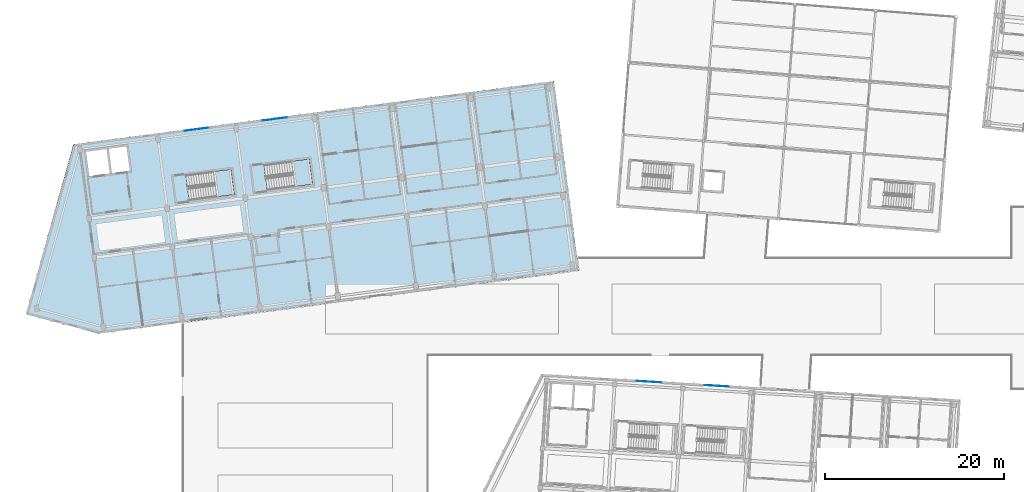
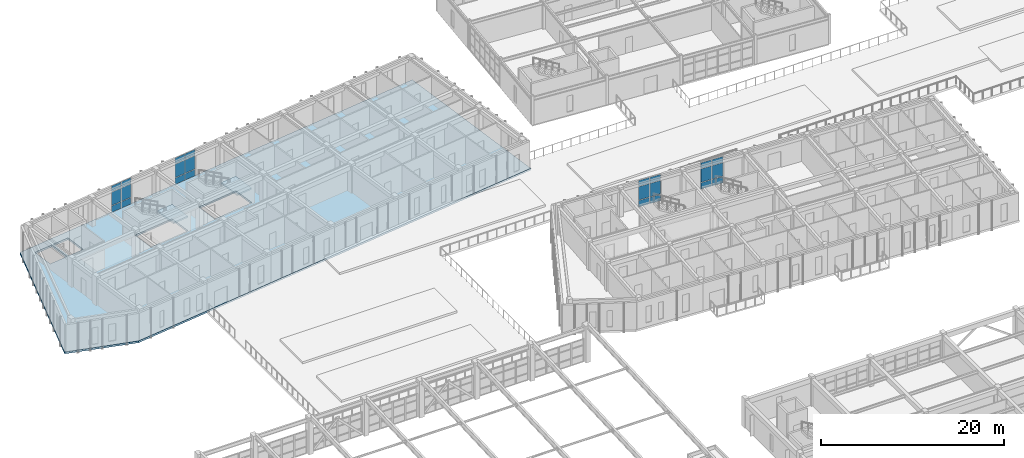
# One storey, part 72 of 150: 24 plates, 3 slabs, 6 elements without a shape of their own.
"""IFC4 building model written with IfcOpenShell, lengths in metres."""

from ifc_helpers import new_model, si_unit, direction, frame, origin, origin_2d, place, context, subcontext, project, spatial, polyline, rectangle, outline, extrude, material, layer, layer_set, type_object, element, aggregate, save


model = new_model("IFC4")

# Units and contexts
model_context = context("Model", 3, precision=1e-05, world=origin(), true_north=direction((0.0, 1.0)))
body_context = subcontext(model_context, "Body", "Model", "MODEL_VIEW")
ifc_project = project(units=[si_unit("LENGTHUNIT", "METRE"), si_unit("AREAUNIT", "SQUARE_METRE"), si_unit("VOLUMEUNIT", "CUBIC_METRE"), si_unit("PLANEANGLEUNIT", "RADIAN"), si_unit("MASSUNIT", "GRAM", prefix="KILO")], contexts=[model_context])

# Site, building, storey
site_placement = place(None, origin())
site = spatial("IfcSite", under=ifc_project, at=site_placement, CompositionType="ELEMENT")
building_placement = place(site_placement, origin())
building = spatial("IfcBuilding", under=site, at=building_placement, Name="Kestramere Prow Commons", CompositionType="ELEMENT")
storey_placement = place(building_placement, frame((0.0, 0.0, 4.5)))
storey = spatial("IfcBuildingStorey", under=building, at=storey_placement, Name="L01", CompositionType="ELEMENT", Elevation=4.5)

# Curtain wall, plates
ifc_material_1 = material(Name="Anodised Aluminium and Low-E Glass", Category="aluminium")
curtain_wall_type = type_object("IfcCurtainWallType", Name="CW-02 Glazed Curtain Wall 2830x3650", PredefinedType="USERDEFINED", material=ifc_material_1)
curtain_wall_1_placement = place(storey_placement, origin())
curtain_wall_1 = element("IfcCurtainWall", 1, at=curtain_wall_1_placement, inside=storey, type_object=curtain_wall_type, Name="Block A L01 Stairwell Vertical Glazing 2", ObjectType="GLAZED CURTAIN WALL", PredefinedType="USERDEFINED")
ifc_material_2 = material(Name="Low-E Laminated Double Glazing", Category="glass")
ifc_layer_1 = layer(ifc_material_2, 0.028076171875)
ifc_layer_set_1 = layer_set([ifc_layer_1], Name="Low-E Laminated Double Glazing")
plate_type = type_object("IfcPlateType", Name="CW-PNL-28", PredefinedType="CURTAIN_PANEL", material=ifc_layer_set_1)
plate_1_placement = place(storey_placement, frame((20.922607421875, 93.982177734375, 0.06494140625), z_axis=(0.0, 0.0, 1.0), x_axis=(0.991444867297, 0.13052614723, 0.0)))
plate_1 = element("IfcPlate", 2, at=plate_1_placement, type_object=plate_type, Name="CW-02 panel 1.1", PredefinedType="CURTAIN_PANEL", context=body_context, shape_type="SweptSolid", body=[
    extrude(rectangle(XDim=1.3173828125, YDim=0.028076171875, at=origin_2d()), origin(), (0.0, 0.0, 1.0), 0.8525390625),
])
plate_2_placement = place(storey_placement, frame((20.922607421875, 93.982177734375, 0.982421875), z_axis=(0.0, 0.0, 1.0), x_axis=(0.991444867297, 0.13052614723, 0.0)))
plate_2 = element("IfcPlate", 3, at=plate_2_placement, type_object=plate_type, Name="CW-02 panel 1.2", PredefinedType="CURTAIN_PANEL", context=body_context, shape_type="SweptSolid", body=[
    extrude(rectangle(XDim=1.3173828125, YDim=0.028076171875, at=origin_2d()), origin(), (0.0, 0.0, 1.0), 1.784912109375),
])
plate_3_placement = place(storey_placement, frame((20.922607421875, 93.982177734375, 2.83251953125), z_axis=(0.0, 0.0, 1.0), x_axis=(0.991444867297, 0.13052614723, 0.0)))
plate_3 = element("IfcPlate", 4, at=plate_3_placement, type_object=plate_type, Name="CW-02 panel 1.3", PredefinedType="CURTAIN_PANEL", context=body_context, shape_type="SweptSolid", body=[
    extrude(rectangle(XDim=1.3173828125, YDim=0.028076171875, at=origin_2d()), origin(), (0.0, 0.0, 1.0), 0.75244140625),
])
plate_4_placement = place(storey_placement, frame((22.29345703125, 94.16259765625, 0.06494140625), z_axis=(0.0, 0.0, 1.0), x_axis=(0.991444867297, 0.13052614723, 0.0)))
plate_4 = element("IfcPlate", 5, at=plate_4_placement, type_object=plate_type, Name="CW-02 panel 2.1", PredefinedType="CURTAIN_PANEL", context=body_context, shape_type="SweptSolid", body=[
    extrude(rectangle(XDim=1.3173828125, YDim=0.028076171875, at=origin_2d()), origin(), (0.0, 0.0, 1.0), 0.8525390625),
])
plate_5_placement = place(storey_placement, frame((22.29345703125, 94.16259765625, 0.982421875), z_axis=(0.0, 0.0, 1.0), x_axis=(0.991444867297, 0.13052614723, 0.0)))
plate_5 = element("IfcPlate", 6, at=plate_5_placement, type_object=plate_type, Name="CW-02 panel 2.2", PredefinedType="CURTAIN_PANEL", context=body_context, shape_type="SweptSolid", body=[
    extrude(rectangle(XDim=1.3173828125, YDim=0.028076171875, at=origin_2d()), origin(), (0.0, 0.0, 1.0), 1.784912109375),
])
plate_6_placement = place(storey_placement, frame((22.29345703125, 94.16259765625, 2.83251953125), z_axis=(0.0, 0.0, 1.0), x_axis=(0.991444867297, 0.13052614723, 0.0)))
plate_6 = element("IfcPlate", 7, at=plate_6_placement, type_object=plate_type, Name="CW-02 panel 2.3", PredefinedType="CURTAIN_PANEL", context=body_context, shape_type="SweptSolid", body=[
    extrude(rectangle(XDim=1.3173828125, YDim=0.028076171875, at=origin_2d()), origin(), (0.0, 0.0, 1.0), 0.75244140625),
])
aggregate(curtain_wall_1, [plate_1, plate_2, plate_3, plate_4, plate_5, plate_6])

curtain_wall_2_placement = place(storey_placement, origin())
curtain_wall_2 = element("IfcCurtainWall", 8, at=curtain_wall_2_placement, inside=storey, type_object=curtain_wall_type, Name="Block A L01 Stairwell Vertical Glazing 3", ObjectType="GLAZED CURTAIN WALL", PredefinedType="USERDEFINED")
plate_7_placement = place(storey_placement, frame((29.6474609375, 95.130859375, 0.06494140625), z_axis=(0.0, 0.0, 1.0), x_axis=(0.991444821571, 0.130526494555, 0.0)))
plate_7 = element("IfcPlate", 9, at=plate_7_placement, type_object=plate_type, Name="CW-02 panel 1.1", PredefinedType="CURTAIN_PANEL", context=body_context, shape_type="SweptSolid", body=[
    extrude(rectangle(XDim=1.3173828125, YDim=0.028076171875, at=origin_2d()), origin(), (0.0, 0.0, 1.0), 0.8525390625),
])
plate_8_placement = place(storey_placement, frame((29.6474609375, 95.130859375, 0.982421875), z_axis=(0.0, 0.0, 1.0), x_axis=(0.991444821571, 0.130526494555, 0.0)))
plate_8 = element("IfcPlate", 10, at=plate_8_placement, type_object=plate_type, Name="CW-02 panel 1.2", PredefinedType="CURTAIN_PANEL", context=body_context, shape_type="SweptSolid", body=[
    extrude(rectangle(XDim=1.3173828125, YDim=0.028076171875, at=origin_2d()), origin(), (0.0, 0.0, 1.0), 1.784912109375),
])
plate_9_placement = place(storey_placement, frame((29.6474609375, 95.130859375, 2.83251953125), z_axis=(0.0, 0.0, 1.0), x_axis=(0.991444821571, 0.130526494555, 0.0)))
plate_9 = element("IfcPlate", 11, at=plate_9_placement, type_object=plate_type, Name="CW-02 panel 1.3", PredefinedType="CURTAIN_PANEL", context=body_context, shape_type="SweptSolid", body=[
    extrude(rectangle(XDim=1.3173828125, YDim=0.028076171875, at=origin_2d()), origin(), (0.0, 0.0, 1.0), 0.75244140625),
])
plate_10_placement = place(storey_placement, frame((31.01806640625, 95.311279296875, 0.06494140625), z_axis=(0.0, 0.0, 1.0), x_axis=(0.991444821571, 0.130526494555, 0.0)))
plate_10 = element("IfcPlate", 12, at=plate_10_placement, type_object=plate_type, Name="CW-02 panel 2.1", PredefinedType="CURTAIN_PANEL", context=body_context, shape_type="SweptSolid", body=[
    extrude(rectangle(XDim=1.3173828125, YDim=0.028076171875, at=origin_2d()), origin(), (0.0, 0.0, 1.0), 0.8525390625),
])
plate_11_placement = place(storey_placement, frame((31.01806640625, 95.311279296875, 0.982421875), z_axis=(0.0, 0.0, 1.0), x_axis=(0.991444821571, 0.130526494555, 0.0)))
plate_11 = element("IfcPlate", 13, at=plate_11_placement, type_object=plate_type, Name="CW-02 panel 2.2", PredefinedType="CURTAIN_PANEL", context=body_context, shape_type="SweptSolid", body=[
    extrude(rectangle(XDim=1.3173828125, YDim=0.028076171875, at=origin_2d()), origin(), (0.0, 0.0, 1.0), 1.784912109375),
])
plate_12_placement = place(storey_placement, frame((31.01806640625, 95.311279296875, 2.83251953125), z_axis=(0.0, 0.0, 1.0), x_axis=(0.991444821571, 0.130526494555, 0.0)))
plate_12 = element("IfcPlate", 14, at=plate_12_placement, type_object=plate_type, Name="CW-02 panel 2.3", PredefinedType="CURTAIN_PANEL", context=body_context, shape_type="SweptSolid", body=[
    extrude(rectangle(XDim=1.3173828125, YDim=0.028076171875, at=origin_2d()), origin(), (0.0, 0.0, 1.0), 0.75244140625),
])
aggregate(curtain_wall_2, [plate_7, plate_8, plate_9, plate_10, plate_11, plate_12])

curtain_wall_3_placement = place(storey_placement, origin())
curtain_wall_3 = element("IfcCurtainWall", 15, at=curtain_wall_3_placement, inside=storey, type_object=curtain_wall_type, Name="Block C L01 Stairwell Vertical Glazing 2", ObjectType="GLAZED CURTAIN WALL", PredefinedType="USERDEFINED")
plate_13_placement = place(storey_placement, frame((71.41748046875, 65.93359375, 0.06494140625), z_axis=(0.0, 0.0, 1.0), x_axis=(0.99813480569, -0.061048420708, 0.0)))
plate_13 = element("IfcPlate", 16, at=plate_13_placement, type_object=plate_type, Name="CW-02 panel 1.1", PredefinedType="CURTAIN_PANEL", context=body_context, shape_type="SweptSolid", body=[
    extrude(rectangle(XDim=1.3173828125, YDim=0.028076171875, at=origin_2d()), origin(), (0.0, 0.0, 1.0), 0.8525390625),
])
plate_14_placement = place(storey_placement, frame((71.41748046875, 65.93359375, 0.982421875), z_axis=(0.0, 0.0, 1.0), x_axis=(0.99813480569, -0.061048420708, 0.0)))
plate_14 = element("IfcPlate", 17, at=plate_14_placement, type_object=plate_type, Name="CW-02 panel 1.2", PredefinedType="CURTAIN_PANEL", context=body_context, shape_type="SweptSolid", body=[
    extrude(rectangle(XDim=1.3173828125, YDim=0.028076171875, at=origin_2d()), origin(), (0.0, 0.0, 1.0), 1.784912109375),
])
plate_15_placement = place(storey_placement, frame((71.41748046875, 65.93359375, 2.83251953125), z_axis=(0.0, 0.0, 1.0), x_axis=(0.99813480569, -0.061048420708, 0.0)))
plate_15 = element("IfcPlate", 18, at=plate_15_placement, type_object=plate_type, Name="CW-02 panel 1.3", PredefinedType="CURTAIN_PANEL", context=body_context, shape_type="SweptSolid", body=[
    extrude(rectangle(XDim=1.3173828125, YDim=0.028076171875, at=origin_2d()), origin(), (0.0, 0.0, 1.0), 0.75244140625),
])
plate_16_placement = place(storey_placement, frame((72.79736328125, 65.849365234375, 0.06494140625), z_axis=(0.0, 0.0, 1.0), x_axis=(0.99813480569, -0.061048420708, 0.0)))
plate_16 = element("IfcPlate", 19, at=plate_16_placement, type_object=plate_type, Name="CW-02 panel 2.1", PredefinedType="CURTAIN_PANEL", context=body_context, shape_type="SweptSolid", body=[
    extrude(rectangle(XDim=1.3173828125, YDim=0.028076171875, at=origin_2d()), origin(), (0.0, 0.0, 1.0), 0.8525390625),
])
plate_17_placement = place(storey_placement, frame((72.79736328125, 65.849365234375, 0.982421875), z_axis=(0.0, 0.0, 1.0), x_axis=(0.99813480569, -0.061048420708, 0.0)))
plate_17 = element("IfcPlate", 20, at=plate_17_placement, type_object=plate_type, Name="CW-02 panel 2.2", PredefinedType="CURTAIN_PANEL", context=body_context, shape_type="SweptSolid", body=[
    extrude(rectangle(XDim=1.3173828125, YDim=0.028076171875, at=origin_2d()), origin(), (0.0, 0.0, 1.0), 1.784912109375),
])
plate_18_placement = place(storey_placement, frame((72.79736328125, 65.849365234375, 2.83251953125), z_axis=(0.0, 0.0, 1.0), x_axis=(0.99813480569, -0.061048420708, 0.0)))
plate_18 = element("IfcPlate", 21, at=plate_18_placement, type_object=plate_type, Name="CW-02 panel 2.3", PredefinedType="CURTAIN_PANEL", context=body_context, shape_type="SweptSolid", body=[
    extrude(rectangle(XDim=1.3173828125, YDim=0.028076171875, at=origin_2d()), origin(), (0.0, 0.0, 1.0), 0.75244140625),
])
aggregate(curtain_wall_3, [plate_13, plate_14, plate_15, plate_16, plate_17, plate_18])

curtain_wall_4_placement = place(storey_placement, origin())
curtain_wall_4 = element("IfcCurtainWall", 22, at=curtain_wall_4_placement, inside=storey, type_object=curtain_wall_type, Name="Block C L01 Stairwell Vertical Glazing 3", ObjectType="GLAZED CURTAIN WALL", PredefinedType="USERDEFINED")
plate_19_placement = place(storey_placement, frame((79.003173828125, 65.4697265625, 0.06494140625), z_axis=(0.0, 0.0, 1.0), x_axis=(0.998134807007, -0.061048399176, 0.0)))
plate_19 = element("IfcPlate", 23, at=plate_19_placement, type_object=plate_type, Name="CW-02 panel 1.1", PredefinedType="CURTAIN_PANEL", context=body_context, shape_type="SweptSolid", body=[
    extrude(rectangle(XDim=1.3173828125, YDim=0.028076171875, at=origin_2d()), origin(), (0.0, 0.0, 1.0), 0.8525390625),
])
plate_20_placement = place(storey_placement, frame((79.003173828125, 65.4697265625, 0.982421875), z_axis=(0.0, 0.0, 1.0), x_axis=(0.998134807007, -0.061048399176, 0.0)))
plate_20 = element("IfcPlate", 24, at=plate_20_placement, type_object=plate_type, Name="CW-02 panel 1.2", PredefinedType="CURTAIN_PANEL", context=body_context, shape_type="SweptSolid", body=[
    extrude(rectangle(XDim=1.3173828125, YDim=0.028076171875, at=origin_2d()), origin(), (0.0, 0.0, 1.0), 1.784912109375),
])
plate_21_placement = place(storey_placement, frame((79.003173828125, 65.4697265625, 2.83251953125), z_axis=(0.0, 0.0, 1.0), x_axis=(0.998134807007, -0.061048399176, 0.0)))
plate_21 = element("IfcPlate", 25, at=plate_21_placement, type_object=plate_type, Name="CW-02 panel 1.3", PredefinedType="CURTAIN_PANEL", context=body_context, shape_type="SweptSolid", body=[
    extrude(rectangle(XDim=1.3173828125, YDim=0.028076171875, at=origin_2d()), origin(), (0.0, 0.0, 1.0), 0.75244140625),
])
plate_22_placement = place(storey_placement, frame((80.383056640625, 65.38525390625, 0.06494140625), z_axis=(0.0, 0.0, 1.0), x_axis=(0.998134807007, -0.061048399176, 0.0)))
plate_22 = element("IfcPlate", 26, at=plate_22_placement, type_object=plate_type, Name="CW-02 panel 2.1", PredefinedType="CURTAIN_PANEL", context=body_context, shape_type="SweptSolid", body=[
    extrude(rectangle(XDim=1.3173828125, YDim=0.028076171875, at=origin_2d()), origin(), (0.0, 0.0, 1.0), 0.8525390625),
])
plate_23_placement = place(storey_placement, frame((80.383056640625, 65.38525390625, 0.982421875), z_axis=(0.0, 0.0, 1.0), x_axis=(0.998134807007, -0.061048399176, 0.0)))
plate_23 = element("IfcPlate", 27, at=plate_23_placement, type_object=plate_type, Name="CW-02 panel 2.2", PredefinedType="CURTAIN_PANEL", context=body_context, shape_type="SweptSolid", body=[
    extrude(rectangle(XDim=1.3173828125, YDim=0.028076171875, at=origin_2d()), origin(), (0.0, 0.0, 1.0), 1.784912109375),
])
plate_24_placement = place(storey_placement, frame((80.383056640625, 65.38525390625, 2.83251953125), z_axis=(0.0, 0.0, 1.0), x_axis=(0.998134807007, -0.061048399176, 0.0)))
plate_24 = element("IfcPlate", 28, at=plate_24_placement, type_object=plate_type, Name="CW-02 panel 2.3", PredefinedType="CURTAIN_PANEL", context=body_context, shape_type="SweptSolid", body=[
    extrude(rectangle(XDim=1.3173828125, YDim=0.028076171875, at=origin_2d()), origin(), (0.0, 0.0, 1.0), 0.75244140625),
])
aggregate(curtain_wall_4, [plate_19, plate_20, plate_21, plate_22, plate_23, plate_24])

# Slab
ifc_material_3 = material(Name="Precast concrete C40/50", Category="concrete")
ifc_layer_2 = layer(ifc_material_3, 0.25)
ifc_layer_set_2 = layer_set([ifc_layer_2], Name="Precast concrete C40/50")
slab_type_1 = type_object("IfcSlabType", Name="SL-HC-250", PredefinedType="FLOOR", material=ifc_layer_set_2)
slab_1_placement = place(storey_placement, frame((0.0, 0.0, -0.25)))
element("IfcSlab", 29, at=slab_1_placement, inside=storey, type_object=slab_type_1, Name="Block A L01 Hollowcore Floor Slab", PredefinedType="FLOOR", context=body_context, shape_type="SweptSolid", body=[
    extrude(outline(polyline([(2.58203125, 73.48779296875), (10.640380859375, 71.270751953125), (64.277587890625, 78.332275390625), (61.497314453125, 99.449951171875), (7.860107421875, 92.388427734375), (2.58203125, 73.48779296875)]), holes=[polyline([(9.638427734375, 88.84033203125), (11.9189453125, 89.140380859375), (11.559814453125, 91.866943359375), (9.279541015625, 91.566650390625), (9.638427734375, 88.84033203125)]), polyline([(12.166748046875, 89.173095703125), (14.149658203125, 89.43408203125), (13.790771484375, 92.16064453125), (11.807861328125, 91.899658203125), (12.166748046875, 89.173095703125)]), polyline([(20.78857421875, 86.122314453125), (25.844970703125, 86.7880859375), (25.47314453125, 89.61376953125), (20.416748046875, 88.947998046875), (20.78857421875, 86.122314453125)]), polyline([(29.513427734375, 87.27099609375), (34.56982421875, 87.936767578125), (34.19775390625, 90.76220703125), (29.141357421875, 90.0966796875), (29.513427734375, 87.27099609375)])]), origin(), (0.0, 0.0, 1.0), 0.25),
])

# Stair, slab
ifc_material_4 = material(Name="Concrete C40/50", Category="concrete")
stair_type = type_object("IfcStairType", Name="ST-DOG-1350", PredefinedType="HALF_TURN_STAIR", material=ifc_material_4)
stair_1_placement = place(storey_placement, origin())
stair_1 = element("IfcStair", 30, at=stair_1_placement, inside=storey, type_object=stair_type, Name="L01 Block A Exit Stair 1", PredefinedType="HALF_TURN_STAIR")
ifc_layer_3 = layer(ifc_material_4, 0.199951171875)
ifc_layer_set_3 = layer_set([ifc_layer_3], Name="Concrete C40/50")
slab_type_2 = type_object("IfcSlabType", Name="SL-ST-LAND-200", PredefinedType="LANDING", material=ifc_layer_set_3)
slab_2_placement = place(storey_placement, frame((0.0, 0.0, 1.75)))
slab_2 = element("IfcSlab", 31, at=slab_2_placement, type_object=slab_type_2, Name="ST-A1 landing 1", PredefinedType="LANDING", context=body_context, shape_type="SweptSolid", body=[
    extrude(outline(polyline([(23.84228515625, 86.5244140625), (25.844970703125, 86.7880859375), (25.47314453125, 89.61376953125), (23.470458984375, 89.35009765625), (23.84228515625, 86.5244140625)])), origin(), (0.0, 0.0, 1.0), 0.199951171875),
])
aggregate(stair_1, [slab_2])

stair_2_placement = place(storey_placement, origin())
stair_2 = element("IfcStair", 32, at=stair_2_placement, inside=storey, type_object=stair_type, Name="L01 Block A Exit Stair 2", PredefinedType="HALF_TURN_STAIR")
slab_3_placement = place(storey_placement, frame((0.0, 0.0, 1.75)))
slab_3 = element("IfcSlab", 33, at=slab_3_placement, type_object=slab_type_2, Name="ST-A2 landing 1", PredefinedType="LANDING", context=body_context, shape_type="SweptSolid", body=[
    extrude(outline(polyline([(32.567138671875, 87.673095703125), (34.56982421875, 87.936767578125), (34.19775390625, 90.76220703125), (32.195068359375, 90.498779296875), (32.567138671875, 87.673095703125)])), origin(), (0.0, 0.0, 1.0), 0.199951171875),
])
aggregate(stair_2, [slab_3])

save(model, "model.ifc")
